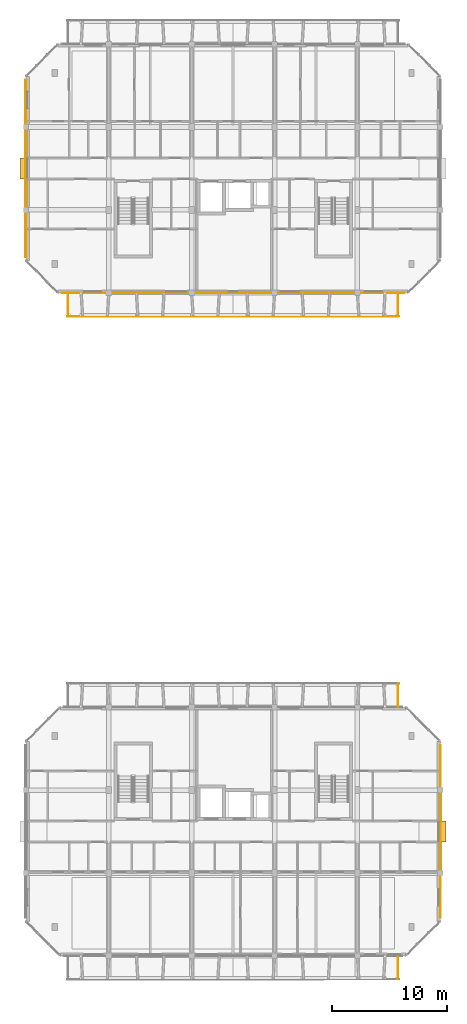
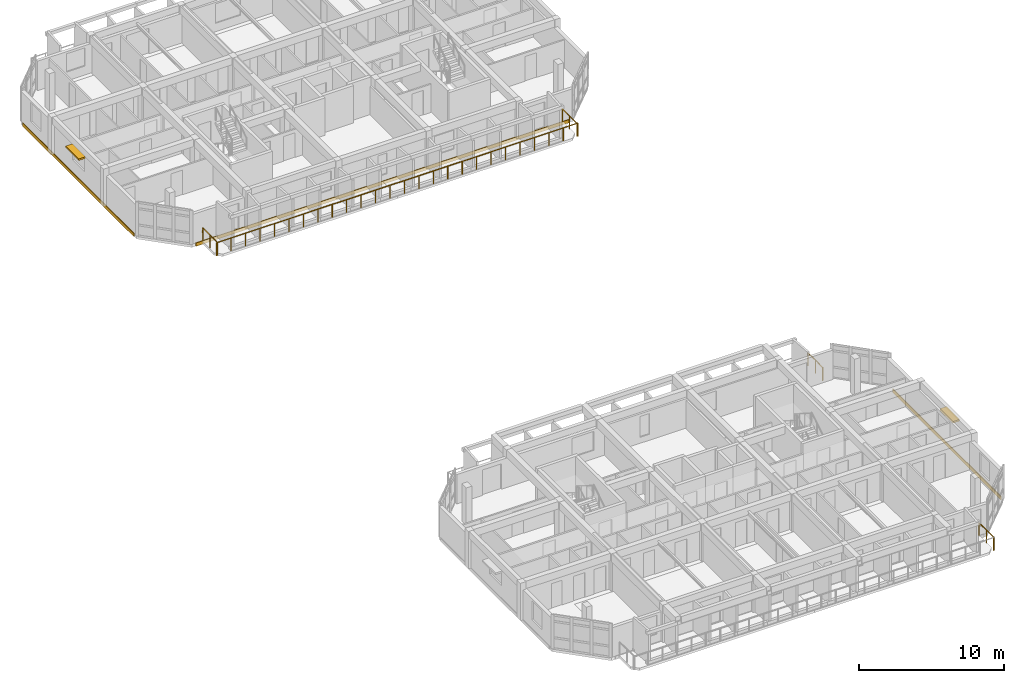
# One storey, part 20 of 22: 5 railings, 3 coverings, 2 shading devices.
"""IFC4 building model written with IfcOpenShell, lengths in metres."""

from ifc_helpers import new_model, si_unit, direction, frame, origin, origin_2d, place, context, subcontext, project, spatial, rectangle, circle, extrude, material, layer, layer_set, type_object, element, save


model = new_model("IFC4")

# Units and contexts
model_context = context("Model", 3, precision=1e-05, world=origin(), true_north=direction((0.0, 1.0)))
body_context = subcontext(model_context, "Body", "Model", "MODEL_VIEW")
ifc_project = project(units=[si_unit("LENGTHUNIT", "METRE"), si_unit("AREAUNIT", "SQUARE_METRE"), si_unit("VOLUMEUNIT", "CUBIC_METRE"), si_unit("PLANEANGLEUNIT", "RADIAN"), si_unit("MASSUNIT", "GRAM", prefix="KILO")], contexts=[model_context])

# Site, building, storey
site_placement = place(None, origin())
site = spatial("IfcSite", under=ifc_project, at=site_placement, CompositionType="ELEMENT")
building_placement = place(site_placement, origin())
building = spatial("IfcBuilding", under=site, at=building_placement, Name="Ochrevale Crest", CompositionType="ELEMENT")
storey_placement = place(building_placement, frame((0.0, 0.0, 40.199951171875)))
storey = spatial("IfcBuildingStorey", under=building, at=storey_placement, Name="L12", CompositionType="ELEMENT", Elevation=40.199951171875)

# Coverings
ifc_material_1 = material(Name="Glazed terracotta rainscreen tile", Category="masonry")
ifc_layer = layer(ifc_material_1, 0.048095703125)
ifc_layer_set = layer_set([ifc_layer], Name="Glazed terracotta rainscreen tile")
covering_type = type_object("IfcCoveringType", Name="COV-CLAD-TER", PredefinedType="CLADDING", material=ifc_layer_set)
covering_1_placement = place(storey_placement, frame((165.614501953125, 25.199951171875, -0.259765625), z_axis=(0.0, 0.0, 1.0), x_axis=(0.0, 1.0, 0.0)))
element("IfcCovering", 1, at=covering_1_placement, inside=storey, type_object=covering_type, Name="Block C L12 terracotta slab-edge spandrel cladding", PredefinedType="CLADDING", context=body_context, shape_type="SweptSolid", body=[
    extrude(rectangle(XDim=15.0, YDim=0.06005859375, at=origin_2d()), origin(), (0.0, 0.0, 1.0), 0.280029296875),
])
covering_2_placement = place(storey_placement, frame((147.60009765625, 71.987548828125, -0.259765625), z_axis=(0.0, 0.0, 1.0), x_axis=(1.0, 0.0, 0.0)))
element("IfcCovering", 2, at=covering_2_placement, inside=storey, type_object=covering_type, Name="Block D L12 terracotta slab-edge spandrel cladding", PredefinedType="CLADDING", context=body_context, shape_type="SweptSolid", body=[
    extrude(rectangle(XDim=29.800048828125, YDim=0.06005859375, at=origin_2d()), origin(), (0.0, 0.0, 1.0), 0.280029296875),
])
covering_3_placement = place(storey_placement, frame((129.58544921875, 82.800048828125, -0.259765625), z_axis=(0.0, 0.0, 1.0), x_axis=(0.0, -1.0, 0.0)))
element("IfcCovering", 3, at=covering_3_placement, inside=storey, type_object=covering_type, Name="Block D L12 terracotta slab-edge spandrel cladding", PredefinedType="CLADDING", context=body_context, shape_type="SweptSolid", body=[
    extrude(rectangle(XDim=15.39990234375, YDim=0.06005859375, at=origin_2d()), origin(), (0.0, 0.0, 1.0), 0.280029296875),
])

# Railings
ifc_material_2 = material(Name="Galvanised steel", Category="steel")
railing_type = type_object("IfcRailingType", Name="RL-BAL-1100", PredefinedType="BALUSTRADE", material=ifc_material_2)
railing_1_placement = place(storey_placement, frame((161.93994140625, 14.39990234375, 0.0)))
element("IfcRailing", 4, at=railing_1_placement, inside=storey, type_object=railing_type, Name="Block C L12 S-E balcony side guard", PredefinedType="BALUSTRADE", context=body_context, shape_type="SweptSolid", body=[
    extrude(circle(Radius=0.02392578125, at=origin_2d()), frame((0.0, 0.0, 1.0859375), z_axis=(0.0, -1.0, 0.0), x_axis=(1.0, 0.0, 0.0)), (0.0, 0.0, 1.0), 2.039794921875),
    extrude(circle(Radius=0.02099609375, at=origin_2d()), origin(), (0.0, 0.0, 1.0), 1.06201171875),
    extrude(circle(Radius=0.02099609375, at=origin_2d()), frame((0.0, -1.02001953125, 0.0)), (0.0, 0.0, 1.0), 1.06201171875),
    extrude(circle(Radius=0.02099609375, at=origin_2d()), frame((0.0, -2.039794921875, 0.0)), (0.0, 0.0, 1.0), 1.06201171875),
])
railing_2_placement = place(storey_placement, frame((161.93994140625, 36.0, 0.0)))
element("IfcRailing", 5, at=railing_2_placement, inside=storey, type_object=railing_type, Name="Block C L12 N-E balcony side guard", PredefinedType="BALUSTRADE", context=body_context, shape_type="SweptSolid", body=[
    extrude(circle(Radius=0.02392578125, at=origin_2d()), frame((0.0, 0.0, 1.0859375), z_axis=(0.0, 1.0, 0.0), x_axis=(-1.0, 0.0, 0.0)), (0.0, 0.0, 1.0), 2.0400390625),
    extrude(circle(Radius=0.02099609375, at=origin_2d()), origin(), (0.0, 0.0, 1.0), 1.06201171875),
    extrude(circle(Radius=0.02099609375, at=origin_2d()), frame((0.0, 1.02001953125, 0.0)), (0.0, 0.0, 1.0), 1.06201171875),
    extrude(circle(Radius=0.02099609375, at=origin_2d()), frame((0.0, 2.0400390625, 0.0)), (0.0, 0.0, 1.0), 1.06201171875),
])
railing_3_placement = place(storey_placement, frame((133.199951171875, 69.9599609375, 0.0)))
element("IfcRailing", 6, at=railing_3_placement, inside=storey, type_object=railing_type, Name="Block D L12 S balcony front balustrade", PredefinedType="BALUSTRADE", context=body_context, shape_type="SweptSolid", body=[
    extrude(circle(Radius=0.02392578125, at=origin_2d()), frame((0.0, 0.0, 1.0859375), z_axis=(1.0, 0.0, 0.0), x_axis=(0.0, 1.0, 0.0)), (0.0, 0.0, 1.0), 28.800048828125),
    extrude(circle(Radius=0.02099609375, at=origin_2d()), origin(), (0.0, 0.0, 1.0), 1.06201171875),
    extrude(circle(Radius=0.02099609375, at=origin_2d()), frame((1.152099609375, 0.0, 0.0)), (0.0, 0.0, 1.0), 1.06201171875),
    extrude(circle(Radius=0.02099609375, at=origin_2d()), frame((2.303955078125, 0.0, 0.0)), (0.0, 0.0, 1.0), 1.06201171875),
    extrude(circle(Radius=0.02099609375, at=origin_2d()), frame((3.4560546875, 0.0, 0.0)), (0.0, 0.0, 1.0), 1.06201171875),
    extrude(circle(Radius=0.02099609375, at=origin_2d()), frame((4.60791015625, 0.0, 0.0)), (0.0, 0.0, 1.0), 1.06201171875),
    extrude(circle(Radius=0.02099609375, at=origin_2d()), frame((5.760009765625, 0.0, 0.0)), (0.0, 0.0, 1.0), 1.06201171875),
    extrude(circle(Radius=0.02099609375, at=origin_2d()), frame((6.912109375, 0.0, 0.0)), (0.0, 0.0, 1.0), 1.06201171875),
    extrude(circle(Radius=0.02099609375, at=origin_2d()), frame((8.06396484375, 0.0, 0.0)), (0.0, 0.0, 1.0), 1.06201171875),
    extrude(circle(Radius=0.02099609375, at=origin_2d()), frame((9.216064453125, 0.0, 0.0)), (0.0, 0.0, 1.0), 1.06201171875),
    extrude(circle(Radius=0.02099609375, at=origin_2d()), frame((10.367919921875, 0.0, 0.0)), (0.0, 0.0, 1.0), 1.06201171875),
    extrude(circle(Radius=0.02099609375, at=origin_2d()), frame((11.52001953125, 0.0, 0.0)), (0.0, 0.0, 1.0), 1.06201171875),
    extrude(circle(Radius=0.02099609375, at=origin_2d()), frame((12.672119140625, 0.0, 0.0)), (0.0, 0.0, 1.0), 1.06201171875),
    extrude(circle(Radius=0.02099609375, at=origin_2d()), frame((13.823974609375, 0.0, 0.0)), (0.0, 0.0, 1.0), 1.06201171875),
    extrude(circle(Radius=0.02099609375, at=origin_2d()), frame((14.97607421875, 0.0, 0.0)), (0.0, 0.0, 1.0), 1.06201171875),
    extrude(circle(Radius=0.02099609375, at=origin_2d()), frame((16.1279296875, 0.0, 0.0)), (0.0, 0.0, 1.0), 1.06201171875),
    extrude(circle(Radius=0.02099609375, at=origin_2d()), frame((17.280029296875, 0.0, 0.0)), (0.0, 0.0, 1.0), 1.06201171875),
    extrude(circle(Radius=0.02099609375, at=origin_2d()), frame((18.43212890625, 0.0, 0.0)), (0.0, 0.0, 1.0), 1.06201171875),
    extrude(circle(Radius=0.02099609375, at=origin_2d()), frame((19.583984375, 0.0, 0.0)), (0.0, 0.0, 1.0), 1.06201171875),
    extrude(circle(Radius=0.02099609375, at=origin_2d()), frame((20.736083984375, 0.0, 0.0)), (0.0, 0.0, 1.0), 1.06201171875),
    extrude(circle(Radius=0.02099609375, at=origin_2d()), frame((21.887939453125, 0.0, 0.0)), (0.0, 0.0, 1.0), 1.06201171875),
    extrude(circle(Radius=0.02099609375, at=origin_2d()), frame((23.0400390625, 0.0, 0.0)), (0.0, 0.0, 1.0), 1.06201171875),
    extrude(circle(Radius=0.02099609375, at=origin_2d()), frame((24.192138671875, 0.0, 0.0)), (0.0, 0.0, 1.0), 1.06201171875),
    extrude(circle(Radius=0.02099609375, at=origin_2d()), frame((25.343994140625, 0.0, 0.0)), (0.0, 0.0, 1.0), 1.06201171875),
    extrude(circle(Radius=0.02099609375, at=origin_2d()), frame((26.49609375, 0.0, 0.0)), (0.0, 0.0, 1.0), 1.06201171875),
    extrude(circle(Radius=0.02099609375, at=origin_2d()), frame((27.64794921875, 0.0, 0.0)), (0.0, 0.0, 1.0), 1.06201171875),
    extrude(circle(Radius=0.02099609375, at=origin_2d()), frame((28.800048828125, 0.0, 0.0)), (0.0, 0.0, 1.0), 1.06201171875),
])
for number, where, name in (
    (7, (133.260009765625, 72.0, 0.0), "Block D L12 S-W balcony side guard"),
    (8, (161.93994140625, 72.0, 0.0), "Block D L12 S-E balcony side guard"),
):
    element("IfcRailing", number, at=place(storey_placement, frame(where)), inside=storey, type_object=railing_type, Name=name, PredefinedType="BALUSTRADE", context=body_context, shape_type="SweptSolid", body=[
        extrude(circle(Radius=0.02392578125, at=origin_2d()), frame((0.0, 0.0, 1.0859375), z_axis=(0.0, -1.0, 0.0), x_axis=(1.0, 0.0, 0.0)), (0.0, 0.0, 1.0), 2.0400390625),
        extrude(circle(Radius=0.02099609375, at=origin_2d()), origin(), (0.0, 0.0, 1.0), 1.06201171875),
        extrude(circle(Radius=0.02099609375, at=origin_2d()), frame((0.0, -1.02001953125, 0.0)), (0.0, 0.0, 1.0), 1.06201171875),
        extrude(circle(Radius=0.02099609375, at=origin_2d()), frame((0.0, -2.0400390625, 0.0)), (0.0, 0.0, 1.0), 1.06201171875),
    ])

# Shading devices
ifc_material_3 = material(Name="Anodised aluminium 6063-T5", Category="aluminium")
shading_device_type = type_object("IfcShadingDeviceType", Name="SHD-SUNSHADE-OC", PredefinedType="USERDEFINED", material=ifc_material_3)
for number, where, z_axis, x_axis, name in (
    (9, (165.840087890625, 25.199951171875, 2.2099609375), (0.0, 0.0, 1.0), (1.0, 0.0, 0.0), "Block C L12 gable window sunshade E"),
    (10, (129.360107421875, 82.800048828125, 2.2099609375), (0.0, 0.0, 1.0), (1.0, 0.0, 0.0), "Block D L12 gable window sunshade W"),
):
    element("IfcShadingDevice", number, at=place(storey_placement, frame(where, z_axis=z_axis, x_axis=x_axis)), inside=storey, type_object=shading_device_type, Name=name, ObjectType="HORIZONTAL SUNSHADE", PredefinedType="USERDEFINED", context=body_context, shape_type="SweptSolid", body=[
        extrude(rectangle(XDim=0.550048828125, YDim=1.800048828125, at=origin_2d()), origin(), (0.0, 0.0, 1.0), 0.139892578125),
    ])

save(model, "model.ifc")
